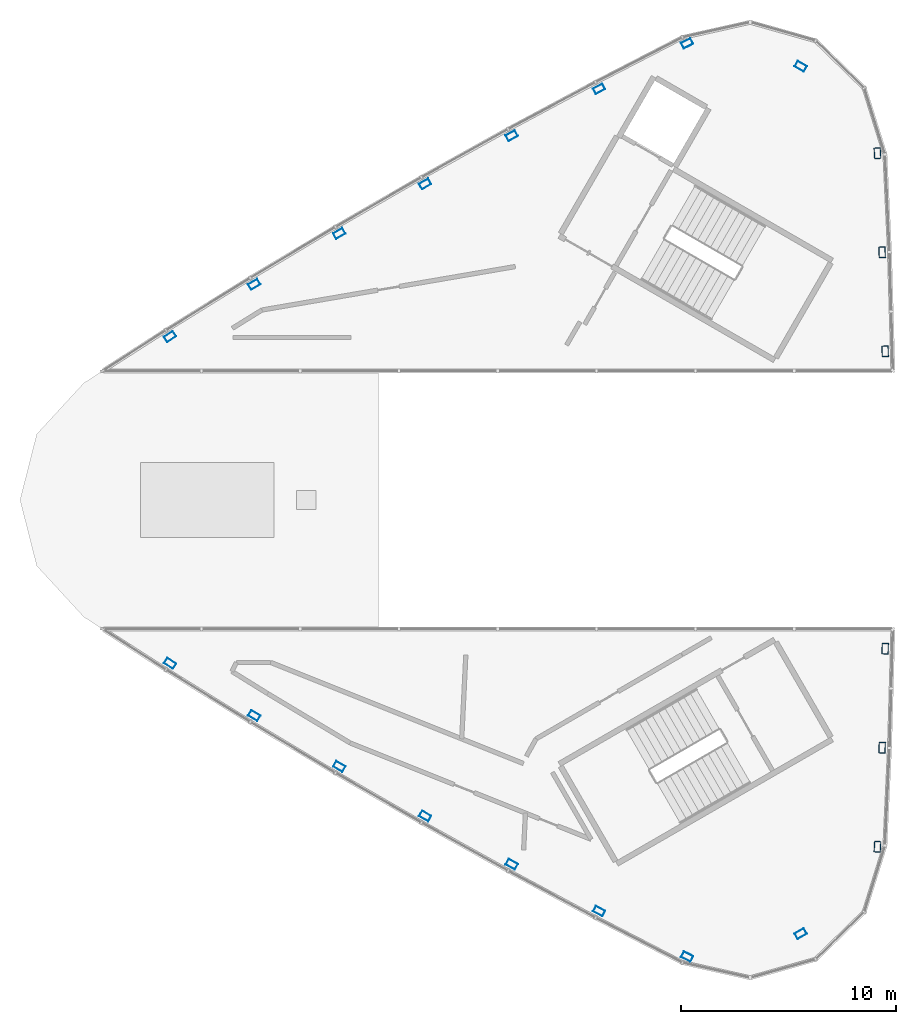
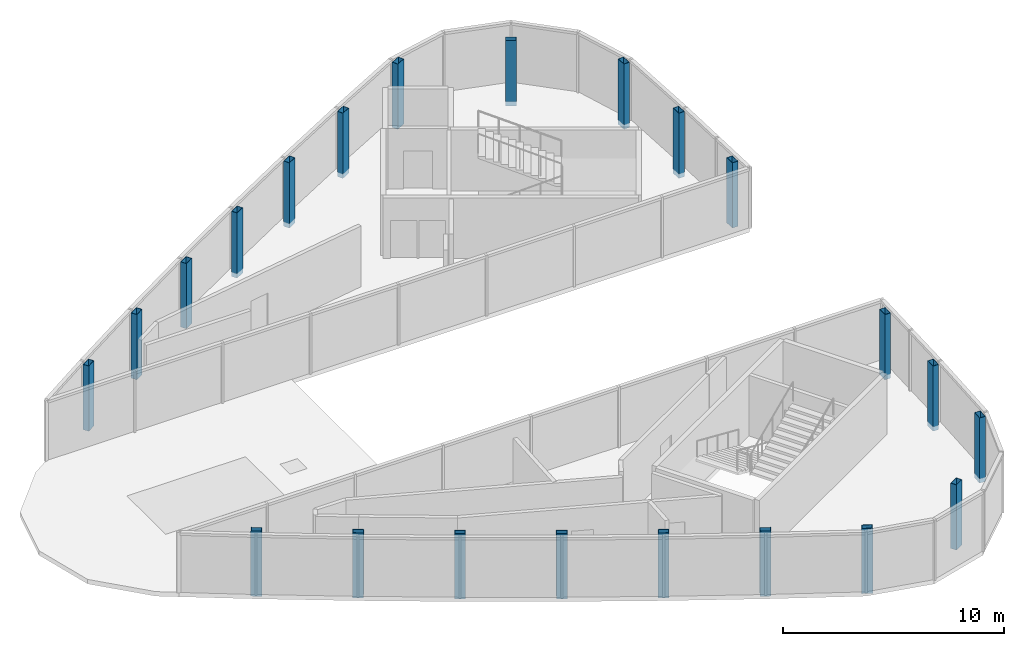
# One storey, part 1 of 6: 22 columns.
"""IFC4 building model written with IfcOpenShell, lengths in metres."""

from ifc_helpers import new_model, si_unit, direction, frame, origin, origin_2d, place, context, subcontext, project, spatial, hollow_rectangle, extrude, material, material_profile, profile_set, type_object, element, save


model = new_model("IFC4")

# Units and contexts
model_context = context("Model", 3, precision=1e-05, world=origin(), true_north=direction((0.0, 1.0)))
body_context = subcontext(model_context, "Body", "Model", "MODEL_VIEW")
ifc_project = project(units=[si_unit("LENGTHUNIT", "METRE"), si_unit("AREAUNIT", "SQUARE_METRE"), si_unit("VOLUMEUNIT", "CUBIC_METRE"), si_unit("PLANEANGLEUNIT", "RADIAN"), si_unit("MASSUNIT", "GRAM", prefix="KILO")], contexts=[model_context])

# Site, building, storey
site_placement = place(None, origin())
site = spatial("IfcSite", under=ifc_project, at=site_placement, CompositionType="ELEMENT")
building_placement = place(site_placement, origin())
building = spatial("IfcBuilding", under=site, at=building_placement, Name="Tamra Quay Hotel Tower", CompositionType="ELEMENT")
storey_placement = place(building_placement, frame((0.0, 0.0, 331.39990234375)))
storey = spatial("IfcBuildingStorey", under=building, at=storey_placement, Name="Roof crown 4", CompositionType="ELEMENT", Elevation=331.39990234375)

# Columns
ifc_material = material(Name="Structural steel IS 2062 E350", Category="steel")
ifc_material_profile = material_profile(ifc_material, hollow_rectangle(XDim=0.300048828125, YDim=0.5, WallThickness=0.01611328125, at=origin_2d()), Name="RHS 500x300x16")
ifc_profile_set = profile_set([ifc_material_profile], Name="Structural steel IS 2062 E350")
column_type = type_object("IfcColumnType", Name="CROWN FRAME POST RHS 500x300x16", PredefinedType="COLUMN", material=ifc_profile_set)
for number, where, z_axis, x_axis, name in (
    (1, (-13.765380859375, 10.022216796875, -0.25), (0.0, 0.0, 1.0), (-0.520430007934, 0.8539043312, 0.0), "CF-A-C6NW06-Roofcrown4"),
    (2, (-17.681396484375, 7.594970703125, -0.25), (0.0, 0.0, 1.0), (-0.533133229604, 0.846031299357, 0.0), "CF-A-C6NW07-Roofcrown4"),
    (3, (15.56201171875, 6.909912109375, -0.25), (0.0, 0.0, 1.0), (0.999717847188, 0.023753442163, 0.0), "CF-A-C6E06-Roofcrown4"),
    (4, (15.418212890625, 11.51513671875, -0.25), (0.0, 0.0, 1.0), (0.999251212442, 0.03869127076, 0.0), "CF-A-C6E07-Roofcrown4"),
    (5, (15.202392578125, 16.116943359375, -0.25), (0.0, 0.0, 1.0), (0.998490919119, 0.05491706873, 0.0), "CF-A-C6E08-Roofcrown4"),
    (6, (11.63671875, 20.1552734375, -0.25), (0.0, 0.0, 1.0), (0.5, 0.866025403784, 0.0), "CF-A-M6NE-Roofcrown4"),
    (7, (6.3564453125, 21.22412109375, -0.25), (0.0, 0.0, 1.0), (-0.451685882938, 0.89217703577, 0.0), "CF-A-C6NW01-Roofcrown4"),
    (8, (2.26318359375, 19.110107421875, -0.25), (0.0, 0.0, 1.0), (-0.466117982839, 0.884722570117, 0.0), "CF-A-C6NW02-Roofcrown4"),
    (9, (-1.796875, 16.93212890625, -0.25), (0.0, 0.0, 1.0), (-0.479287839253, 0.877657773363, 0.0), "CF-A-C6NW03-Roofcrown4"),
    (10, (-5.822265625, 14.69140625, -0.25), (0.0, 0.0, 1.0), (-0.493125204396, 0.869958351181, 0.0), "CF-A-C6NW04-Roofcrown4"),
    (11, (-9.81201171875, 12.3876953125, -0.25), (0.0, 0.0, 1.0), (-0.506843430159, 0.862038129844, 0.0), "CF-A-C6NW05-Roofcrown4"),
    (12, (-9.81201171875, -12.3876953125, -0.25), (0.0, 0.0, 1.0), (0.506843430159, 0.862038129844, 0.0), "CF-B-C6SW04-Roofcrown4"),
    (13, (-5.822265625, -14.69140625, -0.25), (0.0, 0.0, 1.0), (0.493125204396, 0.869958351181, 0.0), "CF-B-C6SW05-Roofcrown4"),
    (14, (-1.796875, -16.93212890625, -0.25), (0.0, 0.0, 1.0), (0.479287839253, 0.877657773363, 0.0), "CF-B-C6SW06-Roofcrown4"),
    (15, (2.26318359375, -19.110107421875, -0.25), (0.0, 0.0, 1.0), (0.466117982839, 0.884722570117, 0.0), "CF-B-C6SW07-Roofcrown4"),
    (16, (6.3564453125, -21.22412109375, -0.25), (0.0, 0.0, 1.0), (0.451685882938, 0.89217703577, 0.0), "CF-B-C6SW08-Roofcrown4"),
    (17, (11.63671875, -20.1552734375, -0.25), (0.0, 0.0, 1.0), (-0.5, 0.866025403784, 0.0), "CF-B-M6SE-Roofcrown4"),
    (18, (15.202392578125, -16.116943359375, -0.25), (0.0, 0.0, 1.0), (-0.998490919119, 0.05491706873, 0.0), "CF-B-C6E01-Roofcrown4"),
    (19, (15.418212890625, -11.51513671875, -0.25), (0.0, 0.0, 1.0), (-0.999251212442, 0.03869127076, 0.0), "CF-B-C6E02-Roofcrown4"),
    (20, (15.56201171875, -6.909912109375, -0.25), (0.0, 0.0, 1.0), (-0.999717847188, 0.023753442163, 0.0), "CF-B-C6E03-Roofcrown4"),
    (21, (-17.681396484375, -7.594970703125, -0.25), (0.0, 0.0, 1.0), (0.533133229604, 0.846031299357, 0.0), "CF-B-C6SW02-Roofcrown4"),
    (22, (-13.765380859375, -10.022216796875, -0.25), (0.0, 0.0, 1.0), (0.520430007934, 0.8539043312, 0.0), "CF-B-C6SW03-Roofcrown4"),
):
    element("IfcColumn", number, at=place(storey_placement, frame(where, z_axis=z_axis, x_axis=x_axis)), inside=storey, type_object=column_type, Name=name, PredefinedType="COLUMN", context=body_context, shape_type="SweptSolid", body=[
        extrude(hollow_rectangle(XDim=0.300048828125, YDim=0.5, WallThickness=0.01611328125, at=origin_2d()), origin(), (0.0, 0.0, 1.0), 3.60009765625),
    ])

save(model, "model.ifc")
